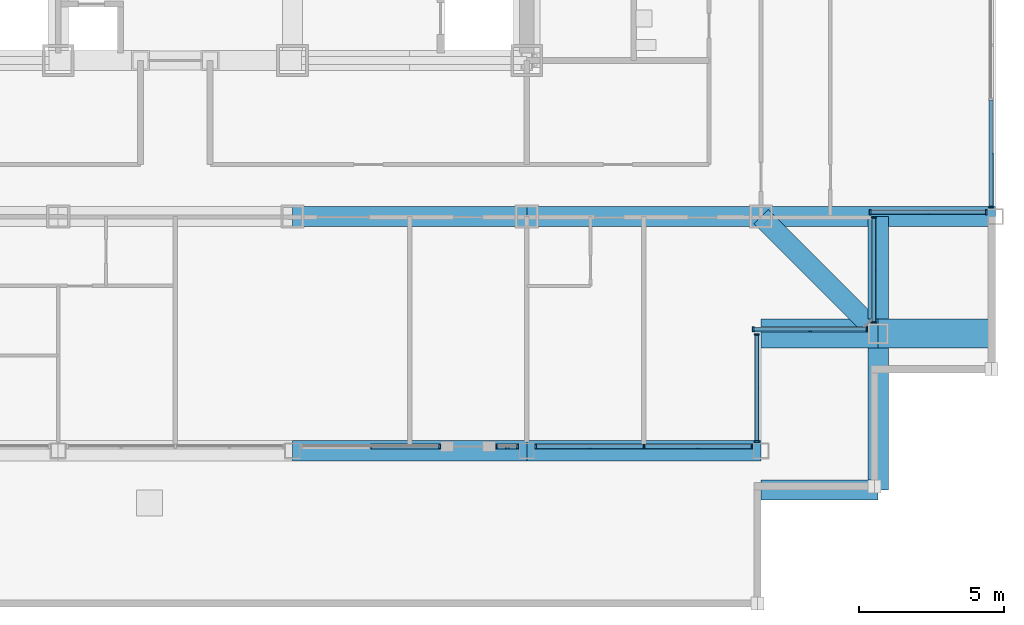
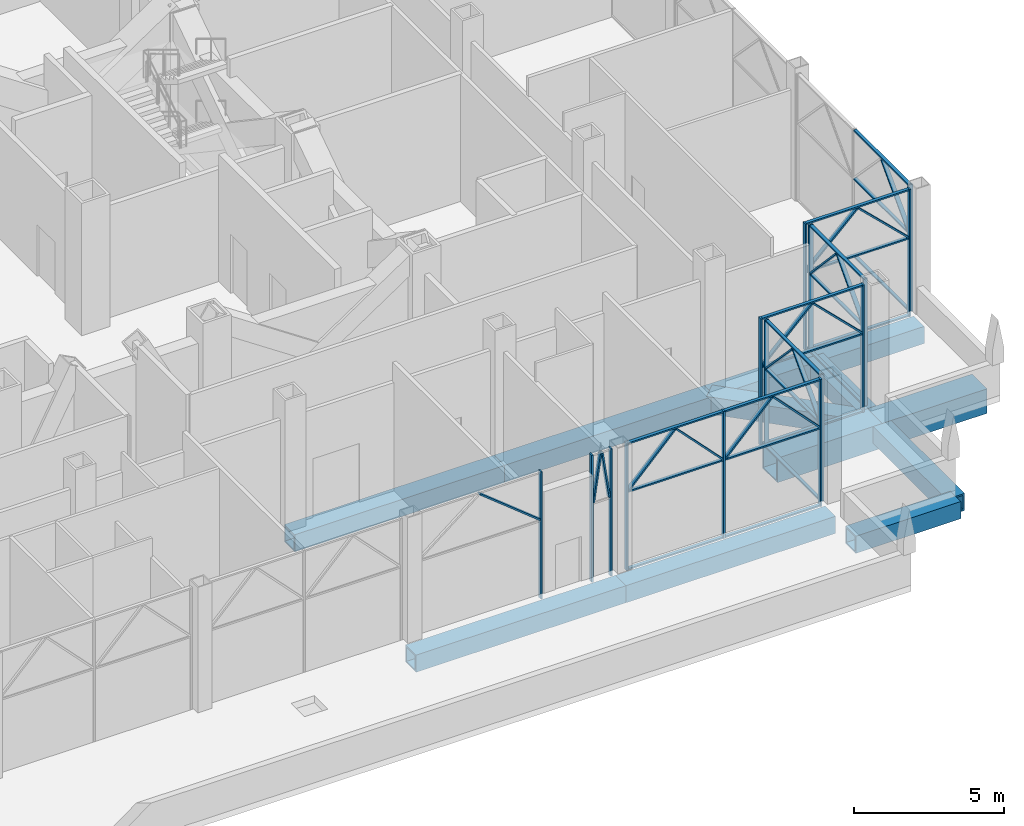
# One storey, part 6 of 29: 52 members, 11 beams, 8 elements without a shape of their own.
"""IFC4 building model written with IfcOpenShell, lengths in metres."""

from ifc_helpers import new_model, si_unit, direction, frame, origin, origin_2d, place, context, subcontext, project, spatial, rectangle, hollow_rectangle, extrude, material, material_profile, profile_set, type_object, element, aggregate, save


model = new_model("IFC4")

# Units and contexts
model_context = context("Model", 3, precision=1e-05, world=origin(), true_north=direction((0.0, 1.0)))
body_context = subcontext(model_context, "Body", "Model", "MODEL_VIEW")
ifc_project = project(units=[si_unit("LENGTHUNIT", "METRE"), si_unit("AREAUNIT", "SQUARE_METRE"), si_unit("VOLUMEUNIT", "CUBIC_METRE"), si_unit("PLANEANGLEUNIT", "RADIAN"), si_unit("MASSUNIT", "GRAM", prefix="KILO")], contexts=[model_context])

# Site, building, storey
site_placement = place(None, origin())
site = spatial("IfcSite", under=ifc_project, at=site_placement, CompositionType="ELEMENT")
building_placement = place(site_placement, origin())
building = spatial("IfcBuilding", under=site, at=building_placement, Name="Kopane Lantern Tower", CompositionType="ELEMENT")
storey_placement = place(building_placement, frame((0.0, 0.0, 165.0)))
storey = spatial("IfcBuildingStorey", under=building, at=storey_placement, Name="L42", CompositionType="ELEMENT", Elevation=165.0)

# Beams
ifc_material_1 = material(Name="Steel S355JR", Category="steel")
ifc_material_profile_1 = material_profile(ifc_material_1, hollow_rectangle(XDim=0.699951171875, YDim=0.699951171875, WallThickness=0.06005859375, at=origin_2d()), Name="BOX 700x700x60")
ifc_profile_set_1 = profile_set([ifc_material_profile_1], Name="Steel S355JR")
beam_type_1 = type_object("IfcBeamType", Name="CORNER TIE BEAM BOX 700x700x60", PredefinedType="BEAM", material=ifc_profile_set_1)
beam_1_placement = place(storey_placement, frame((52.29638671875, 15.20361328125, -0.60009765625), z_axis=(-0.707106781187, 0.707106781187, 0.0), x_axis=(-0.707106781187, -0.707106781187, 0.0)))
element("IfcBeam", 1, at=beam_1_placement, inside=storey, type_object=beam_type_1, Name="Corner Tie Beam L42", PredefinedType="BEAM", context=body_context, shape_type="SweptSolid", body=[
    extrude(hollow_rectangle(XDim=0.699951171875, YDim=0.699951171875, WallThickness=0.06005859375, at=origin_2d()), origin(), (0.0, 0.0, 1.0), 5.227294921875),
])
ifc_material_2 = material(Name="Steel S355JR", Category="steel")
ifc_material_profile_2 = material_profile(ifc_material_2, hollow_rectangle(XDim=0.699951171875, YDim=0.699951171875, WallThickness=0.06005859375, at=origin_2d()), Name="BOX 700x700x60")
ifc_profile_set_2 = profile_set([ifc_material_profile_2], Name="Steel S355JR")
beam_type_2 = type_object("IfcBeamType", Name="EDGE BEAM BOX 700x700x60", PredefinedType="BEAM", material=ifc_profile_set_2)
beam_2_placement = place(storey_placement, frame((52.64990234375, 9.449951171875, -0.60009765625), z_axis=(-1.0, 0.0, 0.0), x_axis=(0.0, -1.0, 0.0)))
element("IfcBeam", 2, at=beam_2_placement, inside=storey, type_object=beam_type_2, Name="Edge Beam L42", PredefinedType="BEAM", context=body_context, shape_type="SweptSolid", body=[
    extrude(hollow_rectangle(XDim=0.699951171875, YDim=0.699951171875, WallThickness=0.06005859375, at=origin_2d()), origin(), (0.0, 0.0, 1.0), 4.0498046875),
])
beam_3_placement = place(storey_placement, frame((52.64990234375, 15.35009765625, -0.60009765625), z_axis=(0.0, 1.0, 0.0), x_axis=(-1.0, 0.0, 0.0)))
element("IfcBeam", 3, at=beam_3_placement, inside=storey, type_object=beam_type_2, Name="Edge Beam L42", PredefinedType="BEAM", context=body_context, shape_type="SweptSolid", body=[
    extrude(hollow_rectangle(XDim=0.699951171875, YDim=0.699951171875, WallThickness=0.06005859375, at=origin_2d()), origin(), (0.0, 0.0, 1.0), 3.5498046875),
])
ifc_material_3 = material(Name="Steel S355JR", Category="steel")
ifc_material_profile_3 = material_profile(ifc_material_3, hollow_rectangle(XDim=0.699951171875, YDim=0.699951171875, WallThickness=0.06005859375, at=origin_2d()), Name="BOX 700x700x60")
ifc_profile_set_3 = profile_set([ifc_material_profile_3], Name="Steel S355JR")
beam_type_3 = type_object("IfcBeamType", Name="GIRDER BOX 700x700x60", PredefinedType="BEAM", material=ifc_profile_set_3)
for number, where, z_axis, x_axis, name in (
    (4, (32.39990234375, 10.800048828125, -0.60009765625), (1.0, 0.0, 0.0), (0.0, 1.0, 0.0), "Girder L42"),
    (5, (32.39990234375, 18.89990234375, -0.60009765625), (1.0, 0.0, 0.0), (0.0, 1.0, 0.0), "Girder L42"),
    (6, (40.5, 10.800048828125, -0.60009765625), (1.0, 0.0, 0.0), (0.0, 1.0, 0.0), "Girder L42"),
    (7, (40.5, 18.89990234375, -0.60009765625), (1.0, 0.0, 0.0), (0.0, 1.0, 0.0), "Girder L42"),
):
    element("IfcBeam", number, at=place(storey_placement, frame(where, z_axis=z_axis, x_axis=x_axis)), inside=storey, type_object=beam_type_3, Name=name, PredefinedType="BEAM", context=body_context, shape_type="SweptSolid", body=[
        extrude(hollow_rectangle(XDim=0.699951171875, YDim=0.699951171875, WallThickness=0.06005859375, at=origin_2d()), origin(), (0.0, 0.0, 1.0), 8.10009765625),
    ])
beam_4_placement = place(storey_placement, frame((48.60009765625, 18.89990234375, -0.60009765625), z_axis=(1.0, 0.0, 0.0), x_axis=(0.0, 1.0, 0.0)))
element("IfcBeam", 8, at=beam_4_placement, inside=storey, type_object=beam_type_3, Name="Girder L42", PredefinedType="BEAM", context=body_context, shape_type="SweptSolid", body=[
    extrude(hollow_rectangle(XDim=0.699951171875, YDim=0.699951171875, WallThickness=0.06005859375, at=origin_2d()), origin(), (0.0, 0.0, 1.0), 8.099853515625),
])
beam_5_placement = place(storey_placement, frame((52.64990234375, 9.449951171875, -0.60009765625), z_axis=(0.0, 1.0, 0.0), x_axis=(-1.0, 0.0, 0.0)))
element("IfcBeam", 9, at=beam_5_placement, inside=storey, type_object=beam_type_3, Name="Girder L42", PredefinedType="BEAM", context=body_context, shape_type="SweptSolid", body=[
    extrude(hollow_rectangle(XDim=0.699951171875, YDim=0.699951171875, WallThickness=0.06005859375, at=origin_2d()), origin(), (0.0, 0.0, 1.0), 4.900146484375),
])

# Curtain wall, members
ifc_material_4 = material(Name="Aluminium and clear glass", Category="aluminium")
curtain_wall_type = type_object("IfcCurtainWallType", Name="CURTAIN WALL CW4 RESIDENCES LOBBY", PredefinedType="USERDEFINED", material=ifc_material_4)
curtain_wall_1_placement = place(storey_placement, origin())
curtain_wall_1 = element("IfcCurtainWall", 10, at=curtain_wall_1_placement, inside=storey, type_object=curtain_wall_type, Name="Curtain wall CW4 S L42", ObjectType="CURTAIN WALL", PredefinedType="USERDEFINED")
ifc_material_5 = material(Name="Aluminium", Category="aluminium")
ifc_material_profile_4 = material_profile(ifc_material_5, rectangle(XDim=0.06005859375, YDim=0.1650390625, at=origin_2d()), Name="AL 60x165")
ifc_profile_set_4 = profile_set([ifc_material_profile_4], Name="Aluminium")
member_type_1 = type_object("IfcMemberType", Name="MULLION CW4-M 60x165", PredefinedType="MULLION", material=ifc_profile_set_4)
member_1_placement = place(storey_placement, frame((37.4951171875, 10.949951171875, 0.0), z_axis=(0.0, 0.0, 1.0), x_axis=(1.0, 0.0, 0.0)))
member_1 = element("IfcMember", 11, at=member_1_placement, type_object=member_type_1, Name="CW4 mullion 2", PredefinedType="MULLION", context=body_context, shape_type="SweptSolid", body=[
    extrude(rectangle(XDim=0.06005859375, YDim=0.1650390625, at=origin_2d()), origin(), (0.0, 0.0, 1.0), 5.18994140625),
])
member_2_placement = place(storey_placement, frame((37.4462890625, 10.949951171875, 3.243408203125), z_axis=(-0.780324904672, 0.0, 0.625374322425), x_axis=(0.625374322425, 0.0, 0.780324904672)))
member_2 = element("IfcMember", 12, at=member_2_placement, type_object=member_type_1, Name="CW4 lancet mullion 1R", PredefinedType="MULLION", context=body_context, shape_type="SweptSolid", body=[
    extrude(rectangle(XDim=0.06005859375, YDim=0.1650390625, at=origin_2d()), origin(), (0.0, 0.0, 1.0), 2.9794921875),
])
aggregate(curtain_wall_1, [member_1, member_2])

curtain_wall_2_placement = place(storey_placement, origin())
curtain_wall_2 = element("IfcCurtainWall", 13, at=curtain_wall_2_placement, inside=storey, type_object=curtain_wall_type, Name="Curtain wall CW4 S L42", ObjectType="CURTAIN WALL", PredefinedType="USERDEFINED")
member_3_placement = place(storey_placement, frame((39.455078125, 10.949951171875, 0.0), z_axis=(0.0, 0.0, 1.0), x_axis=(1.0, 0.0, 0.0)))
member_3 = element("IfcMember", 14, at=member_3_placement, type_object=member_type_1, Name="CW4 mullion 1", PredefinedType="MULLION", context=body_context, shape_type="SweptSolid", body=[
    extrude(rectangle(XDim=0.06005859375, YDim=0.1650390625, at=origin_2d()), origin(), (0.0, 0.0, 1.0), 5.18994140625),
])
member_4_placement = place(storey_placement, frame((40.18994140625, 10.949951171875, 0.0), z_axis=(0.0, 0.0, 1.0), x_axis=(1.0, 0.0, 0.0)))
member_4 = element("IfcMember", 15, at=member_4_placement, type_object=member_type_1, Name="CW4 mullion 2", PredefinedType="MULLION", context=body_context, shape_type="SweptSolid", body=[
    extrude(rectangle(XDim=0.06005859375, YDim=0.1650390625, at=origin_2d()), origin(), (0.0, 0.0, 1.0), 5.18994140625),
])
member_5_placement = place(storey_placement, frame((39.5146484375, 10.949951171875, 3.224365234375), z_axis=(0.144711198326, 0.0, 0.989473935523), x_axis=(-0.989473935523, 0.0, 0.144711198326)))
member_5 = element("IfcMember", 16, at=member_5_placement, type_object=member_type_1, Name="CW4 lancet mullion 1L", PredefinedType="MULLION", context=body_context, shape_type="SweptSolid", body=[
    extrude(rectangle(XDim=0.06005859375, YDim=0.1650390625, at=origin_2d()), origin(), (0.0, 0.0, 1.0), 1.921630859375),
])
member_6_placement = place(storey_placement, frame((40.13037109375, 10.949951171875, 3.224365234375), z_axis=(-0.144711198326, 0.0, 0.989473935523), x_axis=(0.989473935523, 0.0, 0.144711198326)))
member_6 = element("IfcMember", 17, at=member_6_placement, type_object=member_type_1, Name="CW4 lancet mullion 1R", PredefinedType="MULLION", context=body_context, shape_type="SweptSolid", body=[
    extrude(rectangle(XDim=0.06005859375, YDim=0.1650390625, at=origin_2d()), origin(), (0.0, 0.0, 1.0), 1.921630859375),
])
aggregate(curtain_wall_2, [member_3, member_4, member_5, member_6])

curtain_wall_3_placement = place(storey_placement, origin())
curtain_wall_3 = element("IfcCurtainWall", 18, at=curtain_wall_3_placement, inside=storey, type_object=curtain_wall_type, Name="Curtain wall CW4 S L42", ObjectType="CURTAIN WALL", PredefinedType="USERDEFINED")
member_7_placement = place(storey_placement, frame((40.81005859375, 10.949951171875, 0.0), z_axis=(0.0, 0.0, 1.0), x_axis=(1.0, 0.0, 0.0)))
member_7 = element("IfcMember", 19, at=member_7_placement, type_object=member_type_1, Name="CW4 mullion 1", PredefinedType="MULLION", context=body_context, shape_type="SweptSolid", body=[
    extrude(rectangle(XDim=0.06005859375, YDim=0.1650390625, at=origin_2d()), origin(), (0.0, 0.0, 1.0), 5.18994140625),
])
member_8_placement = place(storey_placement, frame((44.550048828125, 10.949951171875, 0.0), z_axis=(0.0, 0.0, 1.0), x_axis=(1.0, 0.0, 0.0)))
member_8 = element("IfcMember", 20, at=member_8_placement, type_object=member_type_1, Name="CW4 mullion 2", PredefinedType="MULLION", context=body_context, shape_type="SweptSolid", body=[
    extrude(rectangle(XDim=0.06005859375, YDim=0.1650390625, at=origin_2d()), origin(), (0.0, 0.0, 1.0), 5.18994140625),
])
member_9_placement = place(storey_placement, frame((48.2900390625, 10.949951171875, 0.0), z_axis=(0.0, 0.0, 1.0), x_axis=(1.0, 0.0, 0.0)))
member_9 = element("IfcMember", 21, at=member_9_placement, type_object=member_type_1, Name="CW4 mullion 3", PredefinedType="MULLION", context=body_context, shape_type="SweptSolid", body=[
    extrude(rectangle(XDim=0.06005859375, YDim=0.1650390625, at=origin_2d()), origin(), (0.0, 0.0, 1.0), 5.18994140625),
])
member_10_placement = place(storey_placement, frame((40.861572265625, 10.949951171875, 3.24072265625), z_axis=(0.693174589614, 0.0, 0.720769719337), x_axis=(-0.720769719337, 0.0, 0.693174589614)))
member_10 = element("IfcMember", 22, at=member_10_placement, type_object=member_type_1, Name="CW4 lancet mullion 1L", PredefinedType="MULLION", context=body_context, shape_type="SweptSolid", body=[
    extrude(rectangle(XDim=0.06005859375, YDim=0.1650390625, at=origin_2d()), origin(), (0.0, 0.0, 1.0), 2.59228515625),
])
member_11_placement = place(storey_placement, frame((44.498291015625, 10.949951171875, 3.24072265625), z_axis=(-0.693125656775, 0.0, 0.720816775554), x_axis=(0.720816775554, 0.0, 0.693125656775)))
member_11 = element("IfcMember", 23, at=member_11_placement, type_object=member_type_1, Name="CW4 lancet mullion 1R", PredefinedType="MULLION", context=body_context, shape_type="SweptSolid", body=[
    extrude(rectangle(XDim=0.06005859375, YDim=0.1650390625, at=origin_2d()), origin(), (0.0, 0.0, 1.0), 2.592041015625),
])
member_12_placement = place(storey_placement, frame((44.6015625, 10.949951171875, 3.24072265625), z_axis=(0.693174589614, 0.0, 0.720769719337), x_axis=(-0.720769719337, 0.0, 0.693174589614)))
member_12 = element("IfcMember", 24, at=member_12_placement, type_object=member_type_1, Name="CW4 lancet mullion 2L", PredefinedType="MULLION", context=body_context, shape_type="SweptSolid", body=[
    extrude(rectangle(XDim=0.06005859375, YDim=0.1650390625, at=origin_2d()), origin(), (0.0, 0.0, 1.0), 2.59228515625),
])
member_13_placement = place(storey_placement, frame((48.23828125, 10.949951171875, 3.24072265625), z_axis=(-0.693125656775, 0.0, 0.720816775554), x_axis=(0.720816775554, 0.0, 0.693125656775)))
member_13 = element("IfcMember", 25, at=member_13_placement, type_object=member_type_1, Name="CW4 lancet mullion 2R", PredefinedType="MULLION", context=body_context, shape_type="SweptSolid", body=[
    extrude(rectangle(XDim=0.06005859375, YDim=0.1650390625, at=origin_2d()), origin(), (0.0, 0.0, 1.0), 2.592041015625),
])

curtain_wall_4_placement = place(storey_placement, origin())
curtain_wall_4 = element("IfcCurtainWall", 26, at=curtain_wall_4_placement, inside=storey, type_object=curtain_wall_type, Name="Curtain wall CW4 E L42", ObjectType="CURTAIN WALL", PredefinedType="USERDEFINED")
member_14_placement = place(storey_placement, frame((48.449951171875, 11.1298828125, 0.0), z_axis=(0.0, 0.0, 1.0), x_axis=(0.0, 1.0, 0.0)))
member_14 = element("IfcMember", 27, at=member_14_placement, type_object=member_type_1, Name="CW4 mullion 1", PredefinedType="MULLION", context=body_context, shape_type="SweptSolid", body=[
    extrude(rectangle(XDim=0.06005859375, YDim=0.1650390625, at=origin_2d()), origin(), (0.0, 0.0, 1.0), 5.18994140625),
])
member_15_placement = place(storey_placement, frame((48.449951171875, 14.820068359375, 0.0), z_axis=(0.0, 0.0, 1.0), x_axis=(0.0, 1.0, 0.0)))
member_15 = element("IfcMember", 28, at=member_15_placement, type_object=member_type_1, Name="CW4 mullion 2", PredefinedType="MULLION", context=body_context, shape_type="SweptSolid", body=[
    extrude(rectangle(XDim=0.06005859375, YDim=0.1650390625, at=origin_2d()), origin(), (0.0, 0.0, 1.0), 5.18994140625),
])
member_16_placement = place(storey_placement, frame((48.449951171875, 11.181884765625, 3.240478515625), z_axis=(0.0, 0.687889280397, 0.725815636312), x_axis=(0.0, -0.725815636312, 0.687889280397)))
member_16 = element("IfcMember", 29, at=member_16_placement, type_object=member_type_1, Name="CW4 lancet mullion 1L", PredefinedType="MULLION", context=body_context, shape_type="SweptSolid", body=[
    extrude(rectangle(XDim=0.06005859375, YDim=0.1650390625, at=origin_2d()), origin(), (0.0, 0.0, 1.0), 2.574951171875),
])
member_17_placement = place(storey_placement, frame((48.449951171875, 14.768310546875, 3.240478515625), z_axis=(0.0, -0.687939225312, 0.725768297928), x_axis=(0.0, 0.725768297928, 0.687939225312)))
member_17 = element("IfcMember", 30, at=member_17_placement, type_object=member_type_1, Name="CW4 lancet mullion 1R", PredefinedType="MULLION", context=body_context, shape_type="SweptSolid", body=[
    extrude(rectangle(XDim=0.06005859375, YDim=0.1650390625, at=origin_2d()), origin(), (0.0, 0.0, 1.0), 2.574951171875),
])

curtain_wall_5_placement = place(storey_placement, origin())
curtain_wall_5 = element("IfcCurtainWall", 31, at=curtain_wall_5_placement, inside=storey, type_object=curtain_wall_type, Name="Curtain wall CW4 S L42", ObjectType="CURTAIN WALL", PredefinedType="USERDEFINED")
member_18_placement = place(storey_placement, frame((48.330078125, 15.0, 0.0), z_axis=(0.0, 0.0, 1.0), x_axis=(1.0, 0.0, 0.0)))
member_18 = element("IfcMember", 32, at=member_18_placement, type_object=member_type_1, Name="CW4 mullion 1", PredefinedType="MULLION", context=body_context, shape_type="SweptSolid", body=[
    extrude(rectangle(XDim=0.06005859375, YDim=0.1650390625, at=origin_2d()), origin(), (0.0, 0.0, 1.0), 5.18994140625),
])
member_19_placement = place(storey_placement, frame((52.264892578125, 15.0, 0.0), z_axis=(0.0, 0.0, 1.0), x_axis=(1.0, 0.0, 0.0)))
member_19 = element("IfcMember", 33, at=member_19_placement, type_object=member_type_1, Name="CW4 mullion 2", PredefinedType="MULLION", context=body_context, shape_type="SweptSolid", body=[
    extrude(rectangle(XDim=0.06005859375, YDim=0.1650390625, at=origin_2d()), origin(), (0.0, 0.0, 1.0), 5.18994140625),
])
member_20_placement = place(storey_placement, frame((48.381103515625, 15.0, 3.241455078125), z_axis=(0.712363521538, 0.0, 0.701810667618), x_axis=(-0.701810667618, 0.0, 0.712363521538)))
member_20 = element("IfcMember", 34, at=member_20_placement, type_object=member_type_1, Name="CW4 lancet mullion 1L", PredefinedType="MULLION", context=body_context, shape_type="SweptSolid", body=[
    extrude(rectangle(XDim=0.06005859375, YDim=0.1650390625, at=origin_2d()), origin(), (0.0, 0.0, 1.0), 2.66064453125),
])
member_21_placement = place(storey_placement, frame((52.2138671875, 15.0, 3.241455078125), z_axis=(-0.712363521538, 0.0, 0.701810667618), x_axis=(0.701810667618, 0.0, 0.712363521538)))
member_21 = element("IfcMember", 35, at=member_21_placement, type_object=member_type_1, Name="CW4 lancet mullion 1R", PredefinedType="MULLION", context=body_context, shape_type="SweptSolid", body=[
    extrude(rectangle(XDim=0.06005859375, YDim=0.1650390625, at=origin_2d()), origin(), (0.0, 0.0, 1.0), 2.66064453125),
])

curtain_wall_6_placement = place(storey_placement, origin())
curtain_wall_6 = element("IfcCurtainWall", 36, at=curtain_wall_6_placement, inside=storey, type_object=curtain_wall_type, Name="Curtain wall CW4 E L42", ObjectType="CURTAIN WALL", PredefinedType="USERDEFINED")
member_22_placement = place(storey_placement, frame((52.5, 15.235107421875, 0.0), z_axis=(0.0, 0.0, 1.0), x_axis=(0.0, 1.0, 0.0)))
member_22 = element("IfcMember", 37, at=member_22_placement, type_object=member_type_1, Name="CW4 mullion 1", PredefinedType="MULLION", context=body_context, shape_type="SweptSolid", body=[
    extrude(rectangle(XDim=0.06005859375, YDim=0.1650390625, at=origin_2d()), origin(), (0.0, 0.0, 1.0), 5.18994140625),
])
member_23_placement = place(storey_placement, frame((52.5, 18.8701171875, 0.0), z_axis=(0.0, 0.0, 1.0), x_axis=(0.0, 1.0, 0.0)))
member_23 = element("IfcMember", 38, at=member_23_placement, type_object=member_type_1, Name="CW4 mullion 2", PredefinedType="MULLION", context=body_context, shape_type="SweptSolid", body=[
    extrude(rectangle(XDim=0.06005859375, YDim=0.1650390625, at=origin_2d()), origin(), (0.0, 0.0, 1.0), 5.18994140625),
])
member_24_placement = place(storey_placement, frame((52.5, 15.286865234375, 3.240478515625), z_axis=(0.0, 0.68213446792, 0.731226755306), x_axis=(0.0, -0.731226755306, 0.68213446792)))
member_24 = element("IfcMember", 39, at=member_24_placement, type_object=member_type_1, Name="CW4 lancet mullion 1L", PredefinedType="MULLION", context=body_context, shape_type="SweptSolid", body=[
    extrude(rectangle(XDim=0.06005859375, YDim=0.1650390625, at=origin_2d()), origin(), (0.0, 0.0, 1.0), 2.55615234375),
])
member_25_placement = place(storey_placement, frame((52.5, 18.818115234375, 3.240478515625), z_axis=(0.0, -0.68213446792, 0.731226755306), x_axis=(0.0, 0.731226755306, 0.68213446792)))
member_25 = element("IfcMember", 40, at=member_25_placement, type_object=member_type_1, Name="CW4 lancet mullion 1R", PredefinedType="MULLION", context=body_context, shape_type="SweptSolid", body=[
    extrude(rectangle(XDim=0.06005859375, YDim=0.1650390625, at=origin_2d()), origin(), (0.0, 0.0, 1.0), 2.55615234375),
])

curtain_wall_7_placement = place(storey_placement, origin())
curtain_wall_7 = element("IfcCurtainWall", 41, at=curtain_wall_7_placement, inside=storey, type_object=curtain_wall_type, Name="Curtain wall CW4 S L42", ObjectType="CURTAIN WALL", PredefinedType="USERDEFINED")
member_26_placement = place(storey_placement, frame((52.3798828125, 19.050048828125, 0.0), z_axis=(0.0, 0.0, 1.0), x_axis=(1.0, 0.0, 0.0)))
member_26 = element("IfcMember", 42, at=member_26_placement, type_object=member_type_1, Name="CW4 mullion 1", PredefinedType="MULLION", context=body_context, shape_type="SweptSolid", body=[
    extrude(rectangle(XDim=0.06005859375, YDim=0.1650390625, at=origin_2d()), origin(), (0.0, 0.0, 1.0), 5.18994140625),
])
member_27_placement = place(storey_placement, frame((56.389892578125, 19.050048828125, 0.0), z_axis=(0.0, 0.0, 1.0), x_axis=(1.0, 0.0, 0.0)))
member_27 = element("IfcMember", 43, at=member_27_placement, type_object=member_type_1, Name="CW4 mullion 2", PredefinedType="MULLION", context=body_context, shape_type="SweptSolid", body=[
    extrude(rectangle(XDim=0.06005859375, YDim=0.1650390625, at=origin_2d()), origin(), (0.0, 0.0, 1.0), 5.18994140625),
])
member_28_placement = place(storey_placement, frame((52.430908203125, 19.050048828125, 3.24169921875), z_axis=(0.719398329966, 0.0, 0.694597756146), x_axis=(-0.694597756146, 0.0, 0.719398329966)))
member_28 = element("IfcMember", 44, at=member_28_placement, type_object=member_type_1, Name="CW4 lancet mullion 1L", PredefinedType="MULLION", context=body_context, shape_type="SweptSolid", body=[
    extrude(rectangle(XDim=0.06005859375, YDim=0.1650390625, at=origin_2d()), origin(), (0.0, 0.0, 1.0), 2.6875),
])
member_29_placement = place(storey_placement, frame((56.339111328125, 19.050048828125, 3.24169921875), z_axis=(-0.719398329966, 0.0, 0.694597756146), x_axis=(0.694597756146, 0.0, 0.719398329966)))
member_29 = element("IfcMember", 45, at=member_29_placement, type_object=member_type_1, Name="CW4 lancet mullion 1R", PredefinedType="MULLION", context=body_context, shape_type="SweptSolid", body=[
    extrude(rectangle(XDim=0.06005859375, YDim=0.1650390625, at=origin_2d()), origin(), (0.0, 0.0, 1.0), 2.6875),
])

curtain_wall_8_placement = place(storey_placement, origin())
curtain_wall_8 = element("IfcCurtainWall", 46, at=curtain_wall_8_placement, inside=storey, type_object=curtain_wall_type, Name="Curtain wall CW4 E L42", ObjectType="CURTAIN WALL", PredefinedType="USERDEFINED")
member_30_placement = place(storey_placement, frame((56.550048828125, 19.22998046875, 0.0), z_axis=(0.0, 0.0, 1.0), x_axis=(0.0, 1.0, 0.0)))
member_30 = element("IfcMember", 47, at=member_30_placement, type_object=member_type_1, Name="CW4 mullion 1", PredefinedType="MULLION", context=body_context, shape_type="SweptSolid", body=[
    extrude(rectangle(XDim=0.06005859375, YDim=0.1650390625, at=origin_2d()), origin(), (0.0, 0.0, 1.0), 5.18994140625),
])
member_31_placement = place(storey_placement, frame((56.550048828125, 19.28173828125, 3.24072265625), z_axis=(0.0, 0.69209585032, 0.721805606773), x_axis=(0.0, -0.721805606773, 0.69209585032)))
member_31 = element("IfcMember", 48, at=member_31_placement, type_object=member_type_1, Name="CW4 lancet mullion 1L", PredefinedType="MULLION", context=body_context, shape_type="SweptSolid", body=[
    extrude(rectangle(XDim=0.06005859375, YDim=0.1650390625, at=origin_2d()), origin(), (0.0, 0.0, 1.0), 2.588623046875),
])

# Beams
ifc_material_6 = material(Name="Steel S355JR", Category="steel")
ifc_material_profile_5 = material_profile(ifc_material_6, hollow_rectangle(XDim=1.0, YDim=1.0, WallThickness=0.06005859375, at=origin_2d()), Name="BOX 1000x1000x60")
ifc_profile_set_5 = profile_set([ifc_material_profile_5], Name="Steel S355JR")
beam_type_4 = type_object("IfcBeamType", Name="TRANSFER BEAM BOX 1000x1000x60", PredefinedType="BEAM", material=ifc_profile_set_5)
beam_6_placement = place(storey_placement, frame((48.60009765625, 14.85009765625, -0.75), z_axis=(1.0, 0.0, 0.0), x_axis=(0.0, 1.0, 0.0)))
element("IfcBeam", 49, at=beam_6_placement, inside=storey, type_object=beam_type_4, Name="Transfer Beam L42", PredefinedType="BEAM", context=body_context, shape_type="SweptSolid", body=[
    extrude(hollow_rectangle(XDim=1.0, YDim=1.0, WallThickness=0.06005859375, at=origin_2d()), origin(), (0.0, 0.0, 1.0), 4.0498046875),
])
beam_7_placement = place(storey_placement, frame((52.64990234375, 14.85009765625, -0.75), z_axis=(1.0, 0.0, 0.0), x_axis=(0.0, 1.0, 0.0)))
element("IfcBeam", 50, at=beam_7_placement, inside=storey, type_object=beam_type_4, Name="Transfer Beam L42", PredefinedType="BEAM", context=body_context, shape_type="SweptSolid", body=[
    extrude(hollow_rectangle(XDim=1.0, YDim=1.0, WallThickness=0.06005859375, at=origin_2d()), origin(), (0.0, 0.0, 1.0), 4.050048828125),
])

# Member
ifc_material_7 = material(Name="Aluminium", Category="aluminium")
ifc_material_profile_6 = material_profile(ifc_material_7, rectangle(XDim=0.125, YDim=0.06005859375, at=origin_2d()), Name="AL 125x60")
ifc_profile_set_6 = profile_set([ifc_material_profile_6], Name="Aluminium")
member_type_2 = type_object("IfcMemberType", Name="TRANSOM CW4-T 60x125", PredefinedType="USERDEFINED", material=ifc_profile_set_6)
member_32_placement = place(storey_placement, frame((40.840087890625, 10.949951171875, 0.030029296875), z_axis=(1.0, 0.0, 0.0), x_axis=(0.0, 1.0, 0.0)))
member_32 = element("IfcMember", 51, at=member_32_placement, type_object=member_type_2, Name="CW4 transom 1.1", ObjectType="TRANSOM", PredefinedType="USERDEFINED", context=body_context, shape_type="SweptSolid", body=[
    extrude(rectangle(XDim=0.125, YDim=0.06005859375, at=origin_2d()), origin(), (0.0, 0.0, 1.0), 3.679931640625),
])

member_33_placement = place(storey_placement, frame((40.840087890625, 10.949951171875, 3.18994140625), z_axis=(1.0, 0.0, 0.0), x_axis=(0.0, 1.0, 0.0)))
member_33 = element("IfcMember", 52, at=member_33_placement, type_object=member_type_2, Name="CW4 transom 1.2", ObjectType="TRANSOM", PredefinedType="USERDEFINED", context=body_context, shape_type="SweptSolid", body=[
    extrude(rectangle(XDim=0.125, YDim=0.06005859375, at=origin_2d()), origin(), (0.0, 0.0, 1.0), 3.679931640625),
])

member_34_placement = place(storey_placement, frame((40.840087890625, 10.949951171875, 5.159912109375), z_axis=(1.0, 0.0, 0.0), x_axis=(0.0, 1.0, 0.0)))
member_34 = element("IfcMember", 53, at=member_34_placement, type_object=member_type_2, Name="CW4 transom 1.3", ObjectType="TRANSOM", PredefinedType="USERDEFINED", context=body_context, shape_type="SweptSolid", body=[
    extrude(rectangle(XDim=0.125, YDim=0.06005859375, at=origin_2d()), origin(), (0.0, 0.0, 1.0), 3.679931640625),
])

member_35_placement = place(storey_placement, frame((44.580078125, 10.949951171875, 0.030029296875), z_axis=(1.0, 0.0, 0.0), x_axis=(0.0, 1.0, 0.0)))
member_35 = element("IfcMember", 54, at=member_35_placement, type_object=member_type_2, Name="CW4 transom 2.1", ObjectType="TRANSOM", PredefinedType="USERDEFINED", context=body_context, shape_type="SweptSolid", body=[
    extrude(rectangle(XDim=0.125, YDim=0.06005859375, at=origin_2d()), origin(), (0.0, 0.0, 1.0), 3.679931640625),
])

member_36_placement = place(storey_placement, frame((44.580078125, 10.949951171875, 3.18994140625), z_axis=(1.0, 0.0, 0.0), x_axis=(0.0, 1.0, 0.0)))
member_36 = element("IfcMember", 55, at=member_36_placement, type_object=member_type_2, Name="CW4 transom 2.2", ObjectType="TRANSOM", PredefinedType="USERDEFINED", context=body_context, shape_type="SweptSolid", body=[
    extrude(rectangle(XDim=0.125, YDim=0.06005859375, at=origin_2d()), origin(), (0.0, 0.0, 1.0), 3.679931640625),
])

member_37_placement = place(storey_placement, frame((44.580078125, 10.949951171875, 5.159912109375), z_axis=(1.0, 0.0, 0.0), x_axis=(0.0, 1.0, 0.0)))
member_37 = element("IfcMember", 56, at=member_37_placement, type_object=member_type_2, Name="CW4 transom 2.3", ObjectType="TRANSOM", PredefinedType="USERDEFINED", context=body_context, shape_type="SweptSolid", body=[
    extrude(rectangle(XDim=0.125, YDim=0.06005859375, at=origin_2d()), origin(), (0.0, 0.0, 1.0), 3.679931640625),
])

aggregate(curtain_wall_3, [member_7, member_8, member_9, member_32, member_33, member_34, member_35, member_36, member_37, member_10, member_11, member_12, member_13])

member_38_placement = place(storey_placement, frame((48.449951171875, 11.159912109375, 0.030029296875), z_axis=(0.0, 1.0, 0.0), x_axis=(-1.0, 0.0, 0.0)))
member_38 = element("IfcMember", 57, at=member_38_placement, type_object=member_type_2, Name="CW4 transom 1.1", ObjectType="TRANSOM", PredefinedType="USERDEFINED", context=body_context, shape_type="SweptSolid", body=[
    extrude(rectangle(XDim=0.125, YDim=0.06005859375, at=origin_2d()), origin(), (0.0, 0.0, 1.0), 3.630126953125),
])

member_39_placement = place(storey_placement, frame((48.449951171875, 11.159912109375, 3.18994140625), z_axis=(0.0, 1.0, 0.0), x_axis=(-1.0, 0.0, 0.0)))
member_39 = element("IfcMember", 58, at=member_39_placement, type_object=member_type_2, Name="CW4 transom 1.2", ObjectType="TRANSOM", PredefinedType="USERDEFINED", context=body_context, shape_type="SweptSolid", body=[
    extrude(rectangle(XDim=0.125, YDim=0.06005859375, at=origin_2d()), origin(), (0.0, 0.0, 1.0), 3.630126953125),
])

member_40_placement = place(storey_placement, frame((48.449951171875, 11.159912109375, 5.159912109375), z_axis=(0.0, 1.0, 0.0), x_axis=(-1.0, 0.0, 0.0)))
member_40 = element("IfcMember", 59, at=member_40_placement, type_object=member_type_2, Name="CW4 transom 1.3", ObjectType="TRANSOM", PredefinedType="USERDEFINED", context=body_context, shape_type="SweptSolid", body=[
    extrude(rectangle(XDim=0.125, YDim=0.06005859375, at=origin_2d()), origin(), (0.0, 0.0, 1.0), 3.630126953125),
])

aggregate(curtain_wall_4, [member_14, member_15, member_38, member_39, member_40, member_16, member_17])

member_41_placement = place(storey_placement, frame((48.360107421875, 15.0, 0.030029296875), z_axis=(1.0, 0.0, 0.0), x_axis=(0.0, 1.0, 0.0)))
member_41 = element("IfcMember", 60, at=member_41_placement, type_object=member_type_2, Name="CW4 transom 1.1", ObjectType="TRANSOM", PredefinedType="USERDEFINED", context=body_context, shape_type="SweptSolid", body=[
    extrude(rectangle(XDim=0.125, YDim=0.06005859375, at=origin_2d()), origin(), (0.0, 0.0, 1.0), 3.875),
])

member_42_placement = place(storey_placement, frame((48.360107421875, 15.0, 3.18994140625), z_axis=(1.0, 0.0, 0.0), x_axis=(0.0, 1.0, 0.0)))
member_42 = element("IfcMember", 61, at=member_42_placement, type_object=member_type_2, Name="CW4 transom 1.2", ObjectType="TRANSOM", PredefinedType="USERDEFINED", context=body_context, shape_type="SweptSolid", body=[
    extrude(rectangle(XDim=0.125, YDim=0.06005859375, at=origin_2d()), origin(), (0.0, 0.0, 1.0), 3.875),
])

member_43_placement = place(storey_placement, frame((48.360107421875, 15.0, 5.159912109375), z_axis=(1.0, 0.0, 0.0), x_axis=(0.0, 1.0, 0.0)))
member_43 = element("IfcMember", 62, at=member_43_placement, type_object=member_type_2, Name="CW4 transom 1.3", ObjectType="TRANSOM", PredefinedType="USERDEFINED", context=body_context, shape_type="SweptSolid", body=[
    extrude(rectangle(XDim=0.125, YDim=0.06005859375, at=origin_2d()), origin(), (0.0, 0.0, 1.0), 3.875),
])

aggregate(curtain_wall_5, [member_18, member_19, member_41, member_42, member_43, member_20, member_21])

member_44_placement = place(storey_placement, frame((52.5, 15.264892578125, 0.030029296875), z_axis=(0.0, 1.0, 0.0), x_axis=(-1.0, 0.0, 0.0)))
member_44 = element("IfcMember", 63, at=member_44_placement, type_object=member_type_2, Name="CW4 transom 1.1", ObjectType="TRANSOM", PredefinedType="USERDEFINED", context=body_context, shape_type="SweptSolid", body=[
    extrude(rectangle(XDim=0.125, YDim=0.06005859375, at=origin_2d()), origin(), (0.0, 0.0, 1.0), 3.5751953125),
])

member_45_placement = place(storey_placement, frame((52.5, 15.264892578125, 3.18994140625), z_axis=(0.0, 1.0, 0.0), x_axis=(-1.0, 0.0, 0.0)))
member_45 = element("IfcMember", 64, at=member_45_placement, type_object=member_type_2, Name="CW4 transom 1.2", ObjectType="TRANSOM", PredefinedType="USERDEFINED", context=body_context, shape_type="SweptSolid", body=[
    extrude(rectangle(XDim=0.125, YDim=0.06005859375, at=origin_2d()), origin(), (0.0, 0.0, 1.0), 3.5751953125),
])

member_46_placement = place(storey_placement, frame((52.5, 15.264892578125, 5.159912109375), z_axis=(0.0, 1.0, 0.0), x_axis=(-1.0, 0.0, 0.0)))
member_46 = element("IfcMember", 65, at=member_46_placement, type_object=member_type_2, Name="CW4 transom 1.3", ObjectType="TRANSOM", PredefinedType="USERDEFINED", context=body_context, shape_type="SweptSolid", body=[
    extrude(rectangle(XDim=0.125, YDim=0.06005859375, at=origin_2d()), origin(), (0.0, 0.0, 1.0), 3.5751953125),
])

aggregate(curtain_wall_6, [member_22, member_23, member_44, member_45, member_46, member_24, member_25])

member_47_placement = place(storey_placement, frame((52.409912109375, 19.050048828125, 0.030029296875), z_axis=(1.0, 0.0, 0.0), x_axis=(0.0, 1.0, 0.0)))
member_47 = element("IfcMember", 66, at=member_47_placement, type_object=member_type_2, Name="CW4 transom 1.1", ObjectType="TRANSOM", PredefinedType="USERDEFINED", context=body_context, shape_type="SweptSolid", body=[
    extrude(rectangle(XDim=0.125, YDim=0.06005859375, at=origin_2d()), origin(), (0.0, 0.0, 1.0), 3.9501953125),
])

member_48_placement = place(storey_placement, frame((52.409912109375, 19.050048828125, 3.18994140625), z_axis=(1.0, 0.0, 0.0), x_axis=(0.0, 1.0, 0.0)))
member_48 = element("IfcMember", 67, at=member_48_placement, type_object=member_type_2, Name="CW4 transom 1.2", ObjectType="TRANSOM", PredefinedType="USERDEFINED", context=body_context, shape_type="SweptSolid", body=[
    extrude(rectangle(XDim=0.125, YDim=0.06005859375, at=origin_2d()), origin(), (0.0, 0.0, 1.0), 3.9501953125),
])

member_49_placement = place(storey_placement, frame((52.409912109375, 19.050048828125, 5.159912109375), z_axis=(1.0, 0.0, 0.0), x_axis=(0.0, 1.0, 0.0)))
member_49 = element("IfcMember", 68, at=member_49_placement, type_object=member_type_2, Name="CW4 transom 1.3", ObjectType="TRANSOM", PredefinedType="USERDEFINED", context=body_context, shape_type="SweptSolid", body=[
    extrude(rectangle(XDim=0.125, YDim=0.06005859375, at=origin_2d()), origin(), (0.0, 0.0, 1.0), 3.9501953125),
])

aggregate(curtain_wall_7, [member_26, member_27, member_47, member_48, member_49, member_28, member_29])

member_50_placement = place(storey_placement, frame((56.550048828125, 19.260009765625, 0.030029296875), z_axis=(0.0, 1.0, 0.0), x_axis=(-1.0, 0.0, 0.0)))
member_50 = element("IfcMember", 69, at=member_50_placement, type_object=member_type_2, Name="CW4 transom 1.1", ObjectType="TRANSOM", PredefinedType="USERDEFINED", context=body_context, shape_type="SweptSolid", body=[
    extrude(rectangle(XDim=0.125, YDim=0.06005859375, at=origin_2d()), origin(), (0.0, 0.0, 1.0), 3.669921875),
])

member_51_placement = place(storey_placement, frame((56.550048828125, 19.260009765625, 3.18994140625), z_axis=(0.0, 1.0, 0.0), x_axis=(-1.0, 0.0, 0.0)))
member_51 = element("IfcMember", 70, at=member_51_placement, type_object=member_type_2, Name="CW4 transom 1.2", ObjectType="TRANSOM", PredefinedType="USERDEFINED", context=body_context, shape_type="SweptSolid", body=[
    extrude(rectangle(XDim=0.125, YDim=0.06005859375, at=origin_2d()), origin(), (0.0, 0.0, 1.0), 3.669921875),
])

member_52_placement = place(storey_placement, frame((56.550048828125, 19.260009765625, 5.159912109375), z_axis=(0.0, 1.0, 0.0), x_axis=(-1.0, 0.0, 0.0)))
member_52 = element("IfcMember", 71, at=member_52_placement, type_object=member_type_2, Name="CW4 transom 1.3", ObjectType="TRANSOM", PredefinedType="USERDEFINED", context=body_context, shape_type="SweptSolid", body=[
    extrude(rectangle(XDim=0.125, YDim=0.06005859375, at=origin_2d()), origin(), (0.0, 0.0, 1.0), 3.669921875),
])

aggregate(curtain_wall_8, [member_30, member_50, member_51, member_52, member_31])

save(model, "model.ifc")
